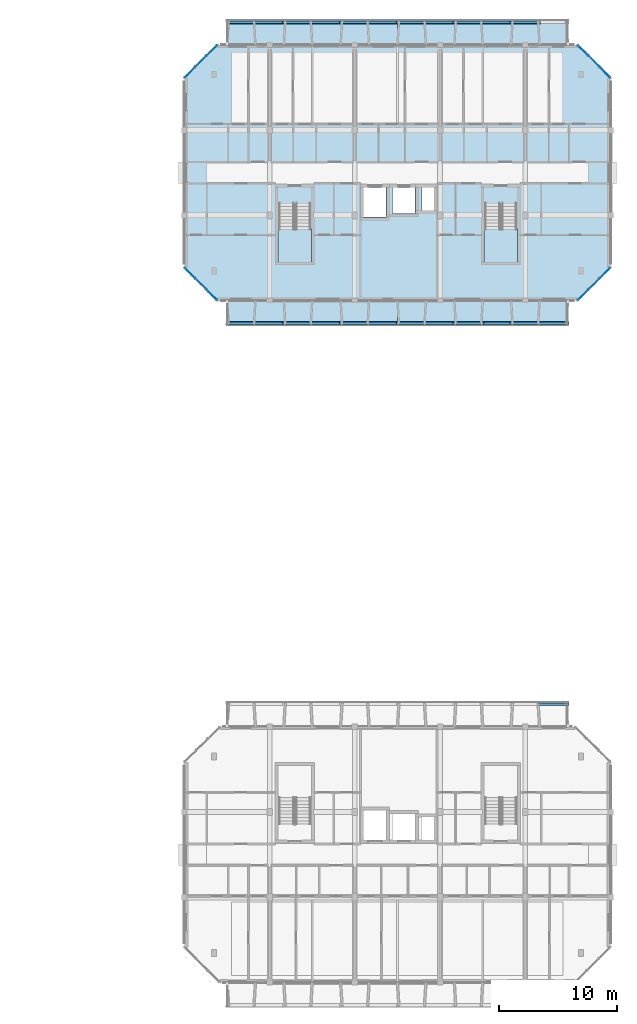
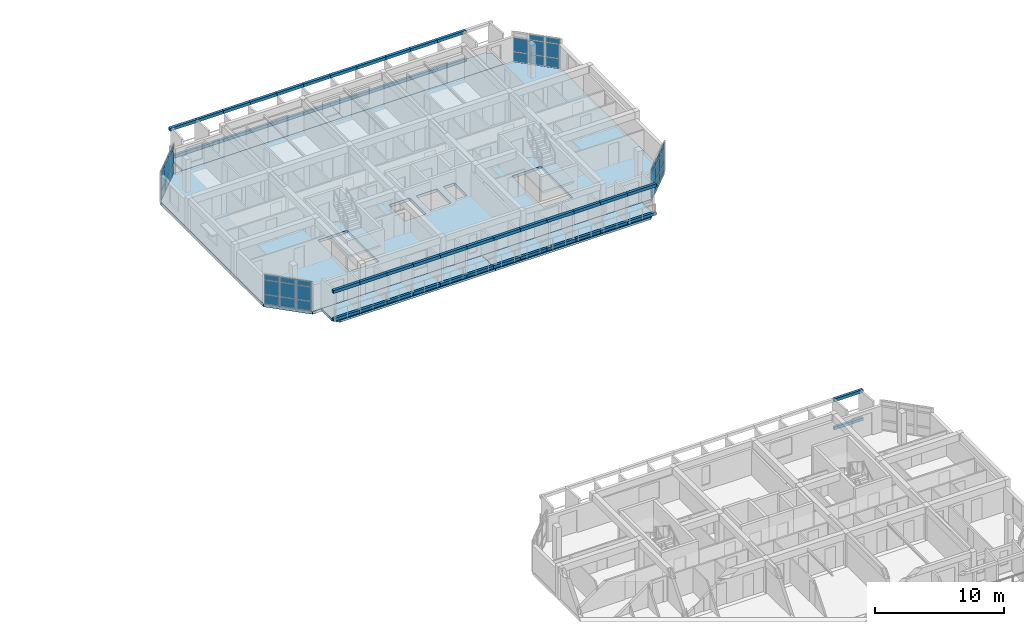
# One storey, part 17 of 43: 83 plates, 7 slabs, 6 elements without a shape of their own.
"""IFC4 building model written with IfcOpenShell, lengths in metres."""

from ifc_helpers import new_model, si_unit, direction, frame, origin, origin_2d, place, context, subcontext, project, spatial, polyline, rectangle, outline, extrude, material, layer, layer_set, type_object, element, aggregate, save


model = new_model("IFC4")

# Units and contexts
model_context = context("Model", 3, precision=1e-05, world=origin(), true_north=direction((0.0, 1.0)))
body_context = subcontext(model_context, "Body", "Model", "MODEL_VIEW")
ifc_project = project(units=[si_unit("LENGTHUNIT", "METRE"), si_unit("AREAUNIT", "SQUARE_METRE"), si_unit("VOLUMEUNIT", "CUBIC_METRE"), si_unit("PLANEANGLEUNIT", "RADIAN"), si_unit("MASSUNIT", "GRAM", prefix="KILO")], contexts=[model_context])

# Site, building, storey
site_placement = place(None, origin())
site = spatial("IfcSite", under=ifc_project, at=site_placement, CompositionType="ELEMENT")
building_placement = place(site_placement, origin())
building = spatial("IfcBuilding", under=site, at=building_placement, Name="Ochrevale Crest", CompositionType="ELEMENT")
storey_placement = place(building_placement, frame((0.0, 0.0, 30.75)))
storey = spatial("IfcBuildingStorey", under=building, at=storey_placement, Name="L09", CompositionType="ELEMENT", Elevation=30.75)

# Curtain wall, plates
ifc_material_1 = material(Name="Anodised aluminium 6063-T5", Category="aluminium")
ifc_layer_1 = layer(ifc_material_1, 0.14990234375)
ifc_layer_set_1 = layer_set([ifc_layer_1], Name="Anodised aluminium 6063-T5")
curtain_wall_type_1 = type_object("IfcCurtainWallType", Name="CW-WG-240x285", PredefinedType="NOTDEFINED", material=ifc_layer_set_1)
curtain_wall_1_placement = place(storey_placement, origin())
curtain_wall_1 = element("IfcCurtainWall", 1, at=curtain_wall_1_placement, inside=storey, type_object=curtain_wall_type_1, Name="Block D L09 chamfered corner wintergarden curtain wall 6", PredefinedType="NOTDEFINED")
ifc_material_2 = material(Name="Double-glazed low-E insulated glass unit", Category="glass")
ifc_layer_2 = layer(ifc_material_2, 0.028076171875)
ifc_layer_set_2 = layer_set([ifc_layer_2], Name="Double-glazed low-E insulated glass unit")
plate_type_1 = type_object("IfcPlateType", Name="CW-PNL-IGU28", PredefinedType="CURTAIN_PANEL", material=ifc_layer_set_2)
plate_1_placement = place(storey_placement, frame((131.920166015625, 93.1201171875, 0.06005859375), z_axis=(0.0, 0.0, 1.0), x_axis=(-0.707106781187, -0.707106781187, 0.0)))
plate_1 = element("IfcPlate", 2, at=plate_1_placement, type_object=plate_type_1, Name="CW15 panel 1.1", PredefinedType="CURTAIN_PANEL", context=body_context, shape_type="SweptSolid", body=[
    extrude(rectangle(XDim=1.20751953125, YDim=0.028076171875, at=origin_2d()), origin(), (0.0, 0.0, 1.0), 0.860107421875),
])
plate_2_placement = place(storey_placement, frame((131.920166015625, 93.1201171875, 0.97998046875), z_axis=(0.0, 0.0, 1.0), x_axis=(-0.707106781187, -0.707106781187, 0.0)))
plate_2 = element("IfcPlate", 3, at=plate_2_placement, type_object=plate_type_1, Name="CW15 panel 1.2", PredefinedType="CURTAIN_PANEL", context=body_context, shape_type="SweptSolid", body=[
    extrude(rectangle(XDim=1.20751953125, YDim=0.028076171875, at=origin_2d()), origin(), (0.0, 0.0, 1.0), 1.31494140625),
])
plate_3_placement = place(storey_placement, frame((131.920166015625, 93.1201171875, 2.35498046875), z_axis=(0.0, 0.0, 1.0), x_axis=(-0.707106781187, -0.707106781187, 0.0)))
plate_3 = element("IfcPlate", 4, at=plate_3_placement, type_object=plate_type_1, Name="CW15 panel 1.3", PredefinedType="CURTAIN_PANEL", context=body_context, shape_type="SweptSolid", body=[
    extrude(rectangle(XDim=1.20751953125, YDim=0.028076171875, at=origin_2d()), origin(), (0.0, 0.0, 1.0), 0.4599609375),
])
plate_4_placement = place(storey_placement, frame((131.0, 92.199951171875, 0.06005859375), z_axis=(0.0, 0.0, 1.0), x_axis=(-0.707106781187, -0.707106781187, 0.0)))
plate_4 = element("IfcPlate", 5, at=plate_4_placement, type_object=plate_type_1, Name="CW15 panel 2.1", PredefinedType="CURTAIN_PANEL", context=body_context, shape_type="SweptSolid", body=[
    extrude(rectangle(XDim=1.244873046875, YDim=0.028076171875, at=origin_2d()), origin(), (0.0, 0.0, 1.0), 0.860107421875),
])
plate_5_placement = place(storey_placement, frame((131.0, 92.199951171875, 0.97998046875), z_axis=(0.0, 0.0, 1.0), x_axis=(-0.707106781187, -0.707106781187, 0.0)))
plate_5 = element("IfcPlate", 6, at=plate_5_placement, type_object=plate_type_1, Name="CW15 panel 2.2", PredefinedType="CURTAIN_PANEL", context=body_context, shape_type="SweptSolid", body=[
    extrude(rectangle(XDim=1.244873046875, YDim=0.028076171875, at=origin_2d()), origin(), (0.0, 0.0, 1.0), 1.31494140625),
])
plate_6_placement = place(storey_placement, frame((131.0, 92.199951171875, 2.35498046875), z_axis=(0.0, 0.0, 1.0), x_axis=(-0.707106781187, -0.707106781187, 0.0)))
plate_6 = element("IfcPlate", 7, at=plate_6_placement, type_object=plate_type_1, Name="CW15 panel 2.3", PredefinedType="CURTAIN_PANEL", context=body_context, shape_type="SweptSolid", body=[
    extrude(rectangle(XDim=1.244873046875, YDim=0.028076171875, at=origin_2d()), origin(), (0.0, 0.0, 1.0), 0.4599609375),
])
plate_7_placement = place(storey_placement, frame((130.079833984375, 91.280029296875, 0.06005859375), z_axis=(0.0, 0.0, 1.0), x_axis=(-0.707106781187, -0.707106781187, 0.0)))
plate_7 = element("IfcPlate", 8, at=plate_7_placement, type_object=plate_type_1, Name="CW15 panel 3.1", PredefinedType="CURTAIN_PANEL", context=body_context, shape_type="SweptSolid", body=[
    extrude(rectangle(XDim=1.20751953125, YDim=0.028076171875, at=origin_2d()), origin(), (0.0, 0.0, 1.0), 0.860107421875),
])
plate_8_placement = place(storey_placement, frame((130.079833984375, 91.280029296875, 0.97998046875), z_axis=(0.0, 0.0, 1.0), x_axis=(-0.707106781187, -0.707106781187, 0.0)))
plate_8 = element("IfcPlate", 9, at=plate_8_placement, type_object=plate_type_1, Name="CW15 panel 3.2", PredefinedType="CURTAIN_PANEL", context=body_context, shape_type="SweptSolid", body=[
    extrude(rectangle(XDim=1.20751953125, YDim=0.028076171875, at=origin_2d()), origin(), (0.0, 0.0, 1.0), 1.31494140625),
])
plate_9_placement = place(storey_placement, frame((130.079833984375, 91.280029296875, 2.35498046875), z_axis=(0.0, 0.0, 1.0), x_axis=(-0.707106781187, -0.707106781187, 0.0)))
plate_9 = element("IfcPlate", 10, at=plate_9_placement, type_object=plate_type_1, Name="CW15 panel 3.3", PredefinedType="CURTAIN_PANEL", context=body_context, shape_type="SweptSolid", body=[
    extrude(rectangle(XDim=1.20751953125, YDim=0.028076171875, at=origin_2d()), origin(), (0.0, 0.0, 1.0), 0.4599609375),
])
aggregate(curtain_wall_1, [plate_1, plate_2, plate_3, plate_4, plate_5, plate_6, plate_7, plate_8, plate_9])

ifc_layer_3 = layer(ifc_material_1, 0.14990234375)
ifc_layer_set_3 = layer_set([ifc_layer_3], Name="Anodised aluminium 6063-T5")
curtain_wall_type_2 = type_object("IfcCurtainWallType", Name="CW-WG-320x285", PredefinedType="NOTDEFINED", material=ifc_layer_set_3)
curtain_wall_2_placement = place(storey_placement, origin())
curtain_wall_2 = element("IfcCurtainWall", 11, at=curtain_wall_2_placement, inside=storey, type_object=curtain_wall_type_2, Name="Block D L09 chamfered corner wintergarden curtain wall 8", PredefinedType="NOTDEFINED")
plate_10_placement = place(storey_placement, frame((130.079833984375, 74.320068359375, 0.06005859375), z_axis=(0.0, 0.0, 1.0), x_axis=(0.707106781187, -0.707106781187, 0.0)))
plate_10 = element("IfcPlate", 12, at=plate_10_placement, type_object=plate_type_1, Name="CW17 panel 1.1", PredefinedType="CURTAIN_PANEL", context=body_context, shape_type="SweptSolid", body=[
    extrude(rectangle(XDim=1.20751953125, YDim=0.028076171875, at=origin_2d()), origin(), (0.0, 0.0, 1.0), 0.860107421875),
])
plate_11_placement = place(storey_placement, frame((130.079833984375, 74.320068359375, 0.97998046875), z_axis=(0.0, 0.0, 1.0), x_axis=(0.707106781187, -0.707106781187, 0.0)))
plate_11 = element("IfcPlate", 13, at=plate_11_placement, type_object=plate_type_1, Name="CW17 panel 1.2", PredefinedType="CURTAIN_PANEL", context=body_context, shape_type="SweptSolid", body=[
    extrude(rectangle(XDim=1.20751953125, YDim=0.028076171875, at=origin_2d()), origin(), (0.0, 0.0, 1.0), 1.31494140625),
])
plate_12_placement = place(storey_placement, frame((130.079833984375, 74.320068359375, 2.35498046875), z_axis=(0.0, 0.0, 1.0), x_axis=(0.707106781187, -0.707106781187, 0.0)))
plate_12 = element("IfcPlate", 14, at=plate_12_placement, type_object=plate_type_1, Name="CW17 panel 1.3", PredefinedType="CURTAIN_PANEL", context=body_context, shape_type="SweptSolid", body=[
    extrude(rectangle(XDim=1.20751953125, YDim=0.028076171875, at=origin_2d()), origin(), (0.0, 0.0, 1.0), 0.4599609375),
])
plate_13_placement = place(storey_placement, frame((131.0, 73.39990234375, 0.06005859375), z_axis=(0.0, 0.0, 1.0), x_axis=(0.707106781187, -0.707106781187, 0.0)))
plate_13 = element("IfcPlate", 15, at=plate_13_placement, type_object=plate_type_1, Name="CW17 panel 2.1", PredefinedType="CURTAIN_PANEL", context=body_context, shape_type="SweptSolid", body=[
    extrude(rectangle(XDim=1.244873046875, YDim=0.028076171875, at=origin_2d()), origin(), (0.0, 0.0, 1.0), 0.860107421875),
])
plate_14_placement = place(storey_placement, frame((131.0, 73.39990234375, 0.97998046875), z_axis=(0.0, 0.0, 1.0), x_axis=(0.707106781187, -0.707106781187, 0.0)))
plate_14 = element("IfcPlate", 16, at=plate_14_placement, type_object=plate_type_1, Name="CW17 panel 2.2", PredefinedType="CURTAIN_PANEL", context=body_context, shape_type="SweptSolid", body=[
    extrude(rectangle(XDim=1.244873046875, YDim=0.028076171875, at=origin_2d()), origin(), (0.0, 0.0, 1.0), 1.31494140625),
])
plate_15_placement = place(storey_placement, frame((131.0, 73.39990234375, 2.35498046875), z_axis=(0.0, 0.0, 1.0), x_axis=(0.707106781187, -0.707106781187, 0.0)))
plate_15 = element("IfcPlate", 17, at=plate_15_placement, type_object=plate_type_1, Name="CW17 panel 2.3", PredefinedType="CURTAIN_PANEL", context=body_context, shape_type="SweptSolid", body=[
    extrude(rectangle(XDim=1.244873046875, YDim=0.028076171875, at=origin_2d()), origin(), (0.0, 0.0, 1.0), 0.4599609375),
])
plate_16_placement = place(storey_placement, frame((131.920166015625, 72.47998046875, 0.06005859375), z_axis=(0.0, 0.0, 1.0), x_axis=(0.707106781187, -0.707106781187, 0.0)))
plate_16 = element("IfcPlate", 18, at=plate_16_placement, type_object=plate_type_1, Name="CW17 panel 3.1", PredefinedType="CURTAIN_PANEL", context=body_context, shape_type="SweptSolid", body=[
    extrude(rectangle(XDim=1.20751953125, YDim=0.028076171875, at=origin_2d()), origin(), (0.0, 0.0, 1.0), 0.860107421875),
])
plate_17_placement = place(storey_placement, frame((131.920166015625, 72.47998046875, 0.97998046875), z_axis=(0.0, 0.0, 1.0), x_axis=(0.707106781187, -0.707106781187, 0.0)))
plate_17 = element("IfcPlate", 19, at=plate_17_placement, type_object=plate_type_1, Name="CW17 panel 3.2", PredefinedType="CURTAIN_PANEL", context=body_context, shape_type="SweptSolid", body=[
    extrude(rectangle(XDim=1.20751953125, YDim=0.028076171875, at=origin_2d()), origin(), (0.0, 0.0, 1.0), 1.31494140625),
])
plate_18_placement = place(storey_placement, frame((131.920166015625, 72.47998046875, 2.35498046875), z_axis=(0.0, 0.0, 1.0), x_axis=(0.707106781187, -0.707106781187, 0.0)))
plate_18 = element("IfcPlate", 20, at=plate_18_placement, type_object=plate_type_1, Name="CW17 panel 3.3", PredefinedType="CURTAIN_PANEL", context=body_context, shape_type="SweptSolid", body=[
    extrude(rectangle(XDim=1.20751953125, YDim=0.028076171875, at=origin_2d()), origin(), (0.0, 0.0, 1.0), 0.4599609375),
])
aggregate(curtain_wall_2, [plate_10, plate_11, plate_12, plate_13, plate_14, plate_15, plate_16, plate_17, plate_18])

ifc_layer_4 = layer(ifc_material_1, 0.14990234375)
ifc_layer_set_4 = layer_set([ifc_layer_4], Name="Anodised aluminium 6063-T5")
curtain_wall_type_3 = type_object("IfcCurtainWallType", Name="CW-WG-280x285", PredefinedType="NOTDEFINED", material=ifc_layer_set_4)
curtain_wall_3_placement = place(storey_placement, origin())
curtain_wall_3 = element("IfcCurtainWall", 21, at=curtain_wall_3_placement, inside=storey, type_object=curtain_wall_type_3, Name="Block D L09 chamfered corner wintergarden curtain wall 2", PredefinedType="NOTDEFINED")
ifc_material_3 = material(Name="Acoustic laminated low-E insulated glass unit", Category="glass")
ifc_layer_5 = layer(ifc_material_3, 0.0380859375)
ifc_layer_set_5 = layer_set([ifc_layer_5], Name="Acoustic laminated low-E insulated glass unit")
plate_type_2 = type_object("IfcPlateType", Name="CW-PNL-IGU38", PredefinedType="CURTAIN_PANEL", material=ifc_layer_set_5)
plate_19_placement = place(storey_placement, frame((163.280029296875, 72.47998046875, 0.06005859375), z_axis=(0.0, 0.0, 1.0), x_axis=(0.707106781187, 0.707106781187, 0.0)))
plate_19 = element("IfcPlate", 22, at=plate_19_placement, type_object=plate_type_2, Name="CW16 panel 1.1", PredefinedType="CURTAIN_PANEL", context=body_context, shape_type="SweptSolid", body=[
    extrude(rectangle(XDim=1.20751953125, YDim=0.0380859375, at=origin_2d()), origin(), (0.0, 0.0, 1.0), 0.860107421875),
])
plate_20_placement = place(storey_placement, frame((163.280029296875, 72.47998046875, 0.97998046875), z_axis=(0.0, 0.0, 1.0), x_axis=(0.707106781187, 0.707106781187, 0.0)))
plate_20 = element("IfcPlate", 23, at=plate_20_placement, type_object=plate_type_2, Name="CW16 panel 1.2", PredefinedType="CURTAIN_PANEL", context=body_context, shape_type="SweptSolid", body=[
    extrude(rectangle(XDim=1.20751953125, YDim=0.0380859375, at=origin_2d()), origin(), (0.0, 0.0, 1.0), 1.31494140625),
])
plate_21_placement = place(storey_placement, frame((163.280029296875, 72.47998046875, 2.35498046875), z_axis=(0.0, 0.0, 1.0), x_axis=(0.707106781187, 0.707106781187, 0.0)))
plate_21 = element("IfcPlate", 24, at=plate_21_placement, type_object=plate_type_2, Name="CW16 panel 1.3", PredefinedType="CURTAIN_PANEL", context=body_context, shape_type="SweptSolid", body=[
    extrude(rectangle(XDim=1.20751953125, YDim=0.0380859375, at=origin_2d()), origin(), (0.0, 0.0, 1.0), 0.4599609375),
])
plate_22_placement = place(storey_placement, frame((164.199951171875, 73.39990234375, 0.06005859375), z_axis=(0.0, 0.0, 1.0), x_axis=(0.707106781187, 0.707106781187, 0.0)))
plate_22 = element("IfcPlate", 25, at=plate_22_placement, type_object=plate_type_2, Name="CW16 panel 2.1", PredefinedType="CURTAIN_PANEL", context=body_context, shape_type="SweptSolid", body=[
    extrude(rectangle(XDim=1.244873046875, YDim=0.0380859375, at=origin_2d()), origin(), (0.0, 0.0, 1.0), 0.860107421875),
])
plate_23_placement = place(storey_placement, frame((164.199951171875, 73.39990234375, 0.97998046875), z_axis=(0.0, 0.0, 1.0), x_axis=(0.707106781187, 0.707106781187, 0.0)))
plate_23 = element("IfcPlate", 26, at=plate_23_placement, type_object=plate_type_2, Name="CW16 panel 2.2", PredefinedType="CURTAIN_PANEL", context=body_context, shape_type="SweptSolid", body=[
    extrude(rectangle(XDim=1.244873046875, YDim=0.0380859375, at=origin_2d()), origin(), (0.0, 0.0, 1.0), 1.31494140625),
])
plate_24_placement = place(storey_placement, frame((164.199951171875, 73.39990234375, 2.35498046875), z_axis=(0.0, 0.0, 1.0), x_axis=(0.707106781187, 0.707106781187, 0.0)))
plate_24 = element("IfcPlate", 27, at=plate_24_placement, type_object=plate_type_2, Name="CW16 panel 2.3", PredefinedType="CURTAIN_PANEL", context=body_context, shape_type="SweptSolid", body=[
    extrude(rectangle(XDim=1.244873046875, YDim=0.0380859375, at=origin_2d()), origin(), (0.0, 0.0, 1.0), 0.4599609375),
])
plate_25_placement = place(storey_placement, frame((165.1201171875, 74.320068359375, 0.06005859375), z_axis=(0.0, 0.0, 1.0), x_axis=(0.707106781187, 0.707106781187, 0.0)))
plate_25 = element("IfcPlate", 28, at=plate_25_placement, type_object=plate_type_2, Name="CW16 panel 3.1", PredefinedType="CURTAIN_PANEL", context=body_context, shape_type="SweptSolid", body=[
    extrude(rectangle(XDim=1.20751953125, YDim=0.0380859375, at=origin_2d()), origin(), (0.0, 0.0, 1.0), 0.860107421875),
])
plate_26_placement = place(storey_placement, frame((165.1201171875, 74.320068359375, 0.97998046875), z_axis=(0.0, 0.0, 1.0), x_axis=(0.707106781187, 0.707106781187, 0.0)))
plate_26 = element("IfcPlate", 29, at=plate_26_placement, type_object=plate_type_2, Name="CW16 panel 3.2", PredefinedType="CURTAIN_PANEL", context=body_context, shape_type="SweptSolid", body=[
    extrude(rectangle(XDim=1.20751953125, YDim=0.0380859375, at=origin_2d()), origin(), (0.0, 0.0, 1.0), 1.31494140625),
])
plate_27_placement = place(storey_placement, frame((165.1201171875, 74.320068359375, 2.35498046875), z_axis=(0.0, 0.0, 1.0), x_axis=(0.707106781187, 0.707106781187, 0.0)))
plate_27 = element("IfcPlate", 30, at=plate_27_placement, type_object=plate_type_2, Name="CW16 panel 3.3", PredefinedType="CURTAIN_PANEL", context=body_context, shape_type="SweptSolid", body=[
    extrude(rectangle(XDim=1.20751953125, YDim=0.0380859375, at=origin_2d()), origin(), (0.0, 0.0, 1.0), 0.4599609375),
])
aggregate(curtain_wall_3, [plate_19, plate_20, plate_21, plate_22, plate_23, plate_24, plate_25, plate_26, plate_27])

ifc_layer_6 = layer(ifc_material_1, 0.14990234375)
ifc_layer_set_6 = layer_set([ifc_layer_6], Name="Anodised aluminium 6063-T5")
curtain_wall_type_4 = type_object("IfcCurtainWallType", Name="CW-WG-360x285", PredefinedType="NOTDEFINED", material=ifc_layer_set_6)
curtain_wall_4_placement = place(storey_placement, origin())
curtain_wall_4 = element("IfcCurtainWall", 31, at=curtain_wall_4_placement, inside=storey, type_object=curtain_wall_type_4, Name="Block D L09 chamfered corner wintergarden curtain wall 4", PredefinedType="NOTDEFINED")
plate_28_placement = place(storey_placement, frame((165.1201171875, 91.280029296875, 0.06005859375), z_axis=(0.0, 0.0, 1.0), x_axis=(-0.707106781187, 0.707106781187, 0.0)))
plate_28 = element("IfcPlate", 32, at=plate_28_placement, type_object=plate_type_2, Name="CW18 panel 1.1", PredefinedType="CURTAIN_PANEL", context=body_context, shape_type="SweptSolid", body=[
    extrude(rectangle(XDim=1.20751953125, YDim=0.0380859375, at=origin_2d()), origin(), (0.0, 0.0, 1.0), 0.860107421875),
])
plate_29_placement = place(storey_placement, frame((165.1201171875, 91.280029296875, 0.97998046875), z_axis=(0.0, 0.0, 1.0), x_axis=(-0.707106781187, 0.707106781187, 0.0)))
plate_29 = element("IfcPlate", 33, at=plate_29_placement, type_object=plate_type_2, Name="CW18 panel 1.2", PredefinedType="CURTAIN_PANEL", context=body_context, shape_type="SweptSolid", body=[
    extrude(rectangle(XDim=1.20751953125, YDim=0.0380859375, at=origin_2d()), origin(), (0.0, 0.0, 1.0), 1.31494140625),
])
plate_30_placement = place(storey_placement, frame((165.1201171875, 91.280029296875, 2.35498046875), z_axis=(0.0, 0.0, 1.0), x_axis=(-0.707106781187, 0.707106781187, 0.0)))
plate_30 = element("IfcPlate", 34, at=plate_30_placement, type_object=plate_type_2, Name="CW18 panel 1.3", PredefinedType="CURTAIN_PANEL", context=body_context, shape_type="SweptSolid", body=[
    extrude(rectangle(XDim=1.20751953125, YDim=0.0380859375, at=origin_2d()), origin(), (0.0, 0.0, 1.0), 0.4599609375),
])
plate_31_placement = place(storey_placement, frame((164.199951171875, 92.199951171875, 0.06005859375), z_axis=(0.0, 0.0, 1.0), x_axis=(-0.707106781187, 0.707106781187, 0.0)))
plate_31 = element("IfcPlate", 35, at=plate_31_placement, type_object=plate_type_2, Name="CW18 panel 2.1", PredefinedType="CURTAIN_PANEL", context=body_context, shape_type="SweptSolid", body=[
    extrude(rectangle(XDim=1.244873046875, YDim=0.0380859375, at=origin_2d()), origin(), (0.0, 0.0, 1.0), 0.860107421875),
])
plate_32_placement = place(storey_placement, frame((164.199951171875, 92.199951171875, 0.97998046875), z_axis=(0.0, 0.0, 1.0), x_axis=(-0.707106781187, 0.707106781187, 0.0)))
plate_32 = element("IfcPlate", 36, at=plate_32_placement, type_object=plate_type_2, Name="CW18 panel 2.2", PredefinedType="CURTAIN_PANEL", context=body_context, shape_type="SweptSolid", body=[
    extrude(rectangle(XDim=1.244873046875, YDim=0.0380859375, at=origin_2d()), origin(), (0.0, 0.0, 1.0), 1.31494140625),
])
plate_33_placement = place(storey_placement, frame((164.199951171875, 92.199951171875, 2.35498046875), z_axis=(0.0, 0.0, 1.0), x_axis=(-0.707106781187, 0.707106781187, 0.0)))
plate_33 = element("IfcPlate", 37, at=plate_33_placement, type_object=plate_type_2, Name="CW18 panel 2.3", PredefinedType="CURTAIN_PANEL", context=body_context, shape_type="SweptSolid", body=[
    extrude(rectangle(XDim=1.244873046875, YDim=0.0380859375, at=origin_2d()), origin(), (0.0, 0.0, 1.0), 0.4599609375),
])
plate_34_placement = place(storey_placement, frame((163.280029296875, 93.1201171875, 0.06005859375), z_axis=(0.0, 0.0, 1.0), x_axis=(-0.707106781187, 0.707106781187, 0.0)))
plate_34 = element("IfcPlate", 38, at=plate_34_placement, type_object=plate_type_2, Name="CW18 panel 3.1", PredefinedType="CURTAIN_PANEL", context=body_context, shape_type="SweptSolid", body=[
    extrude(rectangle(XDim=1.20751953125, YDim=0.0380859375, at=origin_2d()), origin(), (0.0, 0.0, 1.0), 0.860107421875),
])
plate_35_placement = place(storey_placement, frame((163.280029296875, 93.1201171875, 0.97998046875), z_axis=(0.0, 0.0, 1.0), x_axis=(-0.707106781187, 0.707106781187, 0.0)))
plate_35 = element("IfcPlate", 39, at=plate_35_placement, type_object=plate_type_2, Name="CW18 panel 3.2", PredefinedType="CURTAIN_PANEL", context=body_context, shape_type="SweptSolid", body=[
    extrude(rectangle(XDim=1.20751953125, YDim=0.0380859375, at=origin_2d()), origin(), (0.0, 0.0, 1.0), 1.31494140625),
])
aggregate(curtain_wall_4, [plate_28, plate_29, plate_30, plate_31, plate_32, plate_33, plate_34, plate_35])

# Plates
ifc_material_4 = material(Name="Precast concrete C40/50", Category="concrete")
ifc_layer_7 = layer(ifc_material_4, 0.06005859375)
ifc_layer_set_7 = layer_set([ifc_layer_7], Name="Precast concrete C40/50")
plate_type_3 = type_object("IfcPlateType", Name="PLT-HC-HEAD-60", PredefinedType="USERDEFINED", material=ifc_layer_set_7)
for number, where, z_axis, x_axis, name in (
    (40, (160.800048828125, 37.89990234375, 2.669921875), (0.0, 0.0, 1.0), (1.0, 0.0, 0.0), "Block C L09 N honeycomb arched lintel fascia 12"),
    (41, (134.39990234375, 70.10009765625, 2.669921875), (0.0, 0.0, 1.0), (1.0, 0.0, 0.0), "Block D L09 S honeycomb arched lintel fascia 1"),
    (42, (136.800048828125, 70.10009765625, 2.669921875), (0.0, 0.0, 1.0), (1.0, 0.0, 0.0), "Block D L09 S honeycomb arched lintel fascia 2"),
    (43, (139.199951171875, 70.10009765625, 2.669921875), (0.0, 0.0, 1.0), (1.0, 0.0, 0.0), "Block D L09 S honeycomb arched lintel fascia 3"),
    (44, (141.60009765625, 70.10009765625, 2.669921875), (0.0, 0.0, 1.0), (1.0, 0.0, 0.0), "Block D L09 S honeycomb arched lintel fascia 4"),
    (45, (144.0, 70.10009765625, 2.669921875), (0.0, 0.0, 1.0), (1.0, 0.0, 0.0), "Block D L09 S honeycomb arched lintel fascia 5"),
    (46, (146.39990234375, 70.10009765625, 2.669921875), (0.0, 0.0, 1.0), (1.0, 0.0, 0.0), "Block D L09 S honeycomb arched lintel fascia 6"),
    (47, (148.800048828125, 70.10009765625, 2.669921875), (0.0, 0.0, 1.0), (1.0, 0.0, 0.0), "Block D L09 S honeycomb arched lintel fascia 7"),
    (48, (151.199951171875, 70.10009765625, 2.669921875), (0.0, 0.0, 1.0), (1.0, 0.0, 0.0), "Block D L09 S honeycomb arched lintel fascia 8"),
    (49, (153.60009765625, 70.10009765625, 2.669921875), (0.0, 0.0, 1.0), (1.0, 0.0, 0.0), "Block D L09 S honeycomb arched lintel fascia 9"),
    (50, (156.0, 70.10009765625, 2.669921875), (0.0, 0.0, 1.0), (1.0, 0.0, 0.0), "Block D L09 S honeycomb arched lintel fascia 10"),
    (51, (158.39990234375, 70.10009765625, 2.669921875), (0.0, 0.0, 1.0), (1.0, 0.0, 0.0), "Block D L09 S honeycomb arched lintel fascia 11"),
    (52, (160.800048828125, 70.10009765625, 2.669921875), (0.0, 0.0, 1.0), (1.0, 0.0, 0.0), "Block D L09 S honeycomb arched lintel fascia 12"),
    (53, (134.39990234375, 95.5, 2.669921875), (0.0, 0.0, 1.0), (1.0, 0.0, 0.0), "Block D L09 N honeycomb arched lintel fascia 1"),
    (54, (136.800048828125, 95.5, 2.669921875), (0.0, 0.0, 1.0), (1.0, 0.0, 0.0), "Block D L09 N honeycomb arched lintel fascia 2"),
    (55, (139.199951171875, 95.5, 2.669921875), (0.0, 0.0, 1.0), (1.0, 0.0, 0.0), "Block D L09 N honeycomb arched lintel fascia 3"),
    (56, (141.60009765625, 95.5, 2.669921875), (0.0, 0.0, 1.0), (1.0, 0.0, 0.0), "Block D L09 N honeycomb arched lintel fascia 4"),
    (57, (144.0, 95.5, 2.669921875), (0.0, 0.0, 1.0), (1.0, 0.0, 0.0), "Block D L09 N honeycomb arched lintel fascia 5"),
    (58, (146.39990234375, 95.5, 2.669921875), (0.0, 0.0, 1.0), (1.0, 0.0, 0.0), "Block D L09 N honeycomb arched lintel fascia 6"),
    (59, (148.800048828125, 95.5, 2.669921875), (0.0, 0.0, 1.0), (1.0, 0.0, 0.0), "Block D L09 N honeycomb arched lintel fascia 7"),
    (60, (151.199951171875, 95.5, 2.669921875), (0.0, 0.0, 1.0), (1.0, 0.0, 0.0), "Block D L09 N honeycomb arched lintel fascia 8"),
    (61, (153.60009765625, 95.5, 2.669921875), (0.0, 0.0, 1.0), (1.0, 0.0, 0.0), "Block D L09 N honeycomb arched lintel fascia 9"),
    (62, (156.0, 95.5, 2.669921875), (0.0, 0.0, 1.0), (1.0, 0.0, 0.0), "Block D L09 N honeycomb arched lintel fascia 10"),
    (63, (158.39990234375, 95.5, 2.669921875), (0.0, 0.0, 1.0), (1.0, 0.0, 0.0), "Block D L09 N honeycomb arched lintel fascia 11"),
):
    element("IfcPlate", number, at=place(storey_placement, frame(where, z_axis=z_axis, x_axis=x_axis)), inside=storey, type_object=plate_type_3, Name=name, ObjectType="FACADE FASCIA PLATE", PredefinedType="USERDEFINED", context=body_context, shape_type="SweptSolid", body=[
        extrude(rectangle(XDim=2.60009765625, YDim=0.239990234375, at=origin_2d()), origin(), (0.0, 0.0, 1.0), 0.280029296875),
    ])
ifc_layer_8 = layer(ifc_material_4, 0.044921875)
ifc_layer_set_8 = layer_set([ifc_layer_8], Name="Precast concrete C40/50")
plate_type_4 = type_object("IfcPlateType", Name="PLT-HC-SILL-45", PredefinedType="USERDEFINED", material=ifc_layer_set_8)
for number, where, z_axis, x_axis, name in (
    (64, (160.800048828125, 37.89990234375, 0.0), (0.0, 0.0, 1.0), (1.0, 0.0, 0.0), "Block C L09 N honeycomb sill coping plate 12"),
    (65, (134.39990234375, 70.10009765625, 0.0), (0.0, 0.0, 1.0), (1.0, 0.0, 0.0), "Block D L09 S honeycomb sill coping plate 1"),
    (66, (136.800048828125, 70.10009765625, 0.0), (0.0, 0.0, 1.0), (1.0, 0.0, 0.0), "Block D L09 S honeycomb sill coping plate 2"),
    (67, (139.199951171875, 70.10009765625, 0.0), (0.0, 0.0, 1.0), (1.0, 0.0, 0.0), "Block D L09 S honeycomb sill coping plate 3"),
    (68, (141.60009765625, 70.10009765625, 0.0), (0.0, 0.0, 1.0), (1.0, 0.0, 0.0), "Block D L09 S honeycomb sill coping plate 4"),
    (69, (144.0, 70.10009765625, 0.0), (0.0, 0.0, 1.0), (1.0, 0.0, 0.0), "Block D L09 S honeycomb sill coping plate 5"),
    (70, (146.39990234375, 70.10009765625, 0.0), (0.0, 0.0, 1.0), (1.0, 0.0, 0.0), "Block D L09 S honeycomb sill coping plate 6"),
    (71, (148.800048828125, 70.10009765625, 0.0), (0.0, 0.0, 1.0), (1.0, 0.0, 0.0), "Block D L09 S honeycomb sill coping plate 7"),
    (72, (151.199951171875, 70.10009765625, 0.0), (0.0, 0.0, 1.0), (1.0, 0.0, 0.0), "Block D L09 S honeycomb sill coping plate 8"),
    (73, (153.60009765625, 70.10009765625, 0.0), (0.0, 0.0, 1.0), (1.0, 0.0, 0.0), "Block D L09 S honeycomb sill coping plate 9"),
    (74, (156.0, 70.10009765625, 0.0), (0.0, 0.0, 1.0), (1.0, 0.0, 0.0), "Block D L09 S honeycomb sill coping plate 10"),
    (75, (158.39990234375, 70.10009765625, 0.0), (0.0, 0.0, 1.0), (1.0, 0.0, 0.0), "Block D L09 S honeycomb sill coping plate 11"),
    (76, (160.800048828125, 70.10009765625, 0.0), (0.0, 0.0, 1.0), (1.0, 0.0, 0.0), "Block D L09 S honeycomb sill coping plate 12"),
    (77, (134.39990234375, 95.5, 0.0), (0.0, 0.0, 1.0), (1.0, 0.0, 0.0), "Block D L09 N honeycomb sill coping plate 1"),
    (78, (136.800048828125, 95.5, 0.0), (0.0, 0.0, 1.0), (1.0, 0.0, 0.0), "Block D L09 N honeycomb sill coping plate 2"),
    (79, (139.199951171875, 95.5, 0.0), (0.0, 0.0, 1.0), (1.0, 0.0, 0.0), "Block D L09 N honeycomb sill coping plate 3"),
    (80, (141.60009765625, 95.5, 0.0), (0.0, 0.0, 1.0), (1.0, 0.0, 0.0), "Block D L09 N honeycomb sill coping plate 4"),
    (81, (144.0, 95.5, 0.0), (0.0, 0.0, 1.0), (1.0, 0.0, 0.0), "Block D L09 N honeycomb sill coping plate 5"),
    (82, (146.39990234375, 95.5, 0.0), (0.0, 0.0, 1.0), (1.0, 0.0, 0.0), "Block D L09 N honeycomb sill coping plate 6"),
    (83, (148.800048828125, 95.5, 0.0), (0.0, 0.0, 1.0), (1.0, 0.0, 0.0), "Block D L09 N honeycomb sill coping plate 7"),
    (84, (151.199951171875, 95.5, 0.0), (0.0, 0.0, 1.0), (1.0, 0.0, 0.0), "Block D L09 N honeycomb sill coping plate 8"),
    (85, (153.60009765625, 95.5, 0.0), (0.0, 0.0, 1.0), (1.0, 0.0, 0.0), "Block D L09 N honeycomb sill coping plate 9"),
    (86, (156.0, 95.5, 0.0), (0.0, 0.0, 1.0), (1.0, 0.0, 0.0), "Block D L09 N honeycomb sill coping plate 10"),
    (87, (158.39990234375, 95.5, 0.0), (0.0, 0.0, 1.0), (1.0, 0.0, 0.0), "Block D L09 N honeycomb sill coping plate 11"),
):
    element("IfcPlate", number, at=place(storey_placement, frame(where, z_axis=z_axis, x_axis=x_axis)), inside=storey, type_object=plate_type_4, Name=name, ObjectType="SILL COPING PLATE", PredefinedType="USERDEFINED", context=body_context, shape_type="SweptSolid", body=[
        extrude(rectangle(XDim=2.60009765625, YDim=0.219970703125, at=origin_2d()), origin(), (0.0, 0.0, 1.0), 0.260009765625),
    ])

# Slabs
ifc_layer_9 = layer(ifc_material_4, 0.199951171875)
ifc_layer_set_9 = layer_set([ifc_layer_9], Name="Precast concrete C40/50")
slab_type_1 = type_object("IfcSlabType", Name="SLB-BAL-200", PredefinedType="FLOOR", material=ifc_layer_set_9)
slab_1_placement = place(storey_placement, frame((0.0, 0.0, -0.199951171875)))
element("IfcSlab", 88, at=slab_1_placement, inside=storey, type_object=slab_type_1, Name="Block D L09 S1 precast loggia balcony slab", PredefinedType="FLOOR", context=body_context, shape_type="SweptSolid", body=[
    extrude(outline(polyline([(133.64990234375, 69.89990234375), (147.60009765625, 69.89990234375), (147.60009765625, 72.0), (133.199951171875, 72.0), (133.199951171875, 70.35009765625), (133.64990234375, 69.89990234375)])), origin(), (0.0, 0.0, 1.0), 0.199951171875),
])
slab_2_placement = place(storey_placement, frame((0.0, 0.0, -0.199951171875)))
element("IfcSlab", 89, at=slab_2_placement, inside=storey, type_object=slab_type_1, Name="Block D L09 S2 precast loggia balcony slab", PredefinedType="FLOOR", context=body_context, shape_type="SweptSolid", body=[
    extrude(outline(polyline([(147.60009765625, 69.89990234375), (161.550048828125, 69.89990234375), (162.0, 70.35009765625), (162.0, 72.0), (147.60009765625, 72.0), (147.60009765625, 69.89990234375)])), origin(), (0.0, 0.0, 1.0), 0.199951171875),
])
slab_3_placement = place(storey_placement, frame((0.0, 0.0, -0.199951171875)))
element("IfcSlab", 90, at=slab_3_placement, inside=storey, type_object=slab_type_1, Name="Block D L09 N1 precast loggia balcony slab", PredefinedType="FLOOR", context=body_context, shape_type="SweptSolid", body=[
    extrude(outline(polyline([(133.199951171875, 93.60009765625), (147.60009765625, 93.60009765625), (147.60009765625, 95.699951171875), (133.64990234375, 95.699951171875), (133.199951171875, 95.25), (133.199951171875, 93.60009765625)])), origin(), (0.0, 0.0, 1.0), 0.199951171875),
])
slab_4_placement = place(storey_placement, frame((0.0, 0.0, -0.199951171875)))
element("IfcSlab", 91, at=slab_4_placement, inside=storey, type_object=slab_type_1, Name="Block D L09 N2 precast loggia balcony slab", PredefinedType="FLOOR", context=body_context, shape_type="SweptSolid", body=[
    extrude(outline(polyline([(147.60009765625, 93.60009765625), (162.0, 93.60009765625), (162.0, 95.25), (161.550048828125, 95.699951171875), (147.60009765625, 95.699951171875), (147.60009765625, 93.60009765625)])), origin(), (0.0, 0.0, 1.0), 0.199951171875),
])
ifc_layer_10 = layer(ifc_material_4, 0.27490234375)
ifc_layer_set_10 = layer_set([ifc_layer_10], Name="Precast concrete C40/50")
slab_type_2 = type_object("IfcSlabType", Name="SLB-RES-275", PredefinedType="FLOOR", material=ifc_layer_set_10)
slab_5_placement = place(storey_placement, frame((0.0, 0.0, -0.27490234375)))
element("IfcSlab", 92, at=slab_5_placement, inside=storey, type_object=slab_type_2, Name="Block D L09 composite hollowcore floor slab", PredefinedType="FLOOR", context=body_context, shape_type="SweptSolid", body=[
    extrude(outline(polyline([(132.39990234375, 72.0), (162.800048828125, 72.0), (165.60009765625, 74.800048828125), (165.60009765625, 90.800048828125), (162.800048828125, 93.60009765625), (132.39990234375, 93.60009765625), (129.60009765625, 90.800048828125), (129.60009765625, 74.800048828125), (132.39990234375, 72.0)]), holes=[polyline([(137.60009765625, 80.175048828125), (137.60009765625, 75.27490234375), (140.25, 75.27490234375), (140.25, 80.175048828125), (137.60009765625, 80.175048828125)]), polyline([(155.0, 80.175048828125), (155.0, 75.27490234375), (157.64990234375, 75.27490234375), (157.64990234375, 80.175048828125), (155.0, 80.175048828125)]), polyline([(144.75, 79.050048828125), (146.64990234375, 79.050048828125), (146.64990234375, 81.550048828125), (144.75, 81.550048828125), (144.75, 79.050048828125)]), polyline([(147.199951171875, 79.35009765625), (149.10009765625, 79.35009765625), (149.10009765625, 81.550048828125), (147.199951171875, 81.550048828125), (147.199951171875, 79.35009765625)]), polyline([(149.669921875, 79.6201171875), (150.679931640625, 79.6201171875), (150.679931640625, 81.580078125), (149.669921875, 81.580078125), (149.669921875, 79.6201171875)])]), origin(), (0.0, 0.0, 1.0), 0.27490234375),
])

# Stair, slab
stair_type = type_object("IfcStairType", Name="ST-CORE-DOG", PredefinedType="HALF_TURN_STAIR", material=ifc_material_4)
stair_1_placement = place(storey_placement, origin())
stair_1 = element("IfcStair", 93, at=stair_1_placement, inside=storey, type_object=stair_type, Name="L09 Block D Fire Stair 1", PredefinedType="HALF_TURN_STAIR")
ifc_layer_11 = layer(ifc_material_4, 0.199951171875)
ifc_layer_set_11 = layer_set([ifc_layer_11], Name="Precast concrete C40/50")
slab_type_3 = type_object("IfcSlabType", Name="SLB-ST-LAND", PredefinedType="LANDING", material=ifc_layer_set_11)
slab_6_placement = place(storey_placement, frame((0.0, 0.0, 1.375)))
slab_6 = element("IfcSlab", 94, at=slab_6_placement, type_object=slab_type_3, Name="ST-D1 landing 1", PredefinedType="LANDING", context=body_context, shape_type="SweptSolid", body=[
    extrude(outline(polyline([(137.52001953125, 78.06494140625), (137.52001953125, 75.195068359375), (140.330078125, 75.195068359375), (140.330078125, 78.06494140625), (137.52001953125, 78.06494140625)])), origin(), (0.0, 0.0, 1.0), 0.199951171875),
])
aggregate(stair_1, [slab_6])

stair_2_placement = place(storey_placement, origin())
stair_2 = element("IfcStair", 95, at=stair_2_placement, inside=storey, type_object=stair_type, Name="L09 Block D Fire Stair 2", PredefinedType="HALF_TURN_STAIR")
slab_7_placement = place(storey_placement, frame((0.0, 0.0, 1.375)))
slab_7 = element("IfcSlab", 96, at=slab_7_placement, type_object=slab_type_3, Name="ST-D2 landing 1", PredefinedType="LANDING", context=body_context, shape_type="SweptSolid", body=[
    extrude(outline(polyline([(154.919921875, 78.06494140625), (154.919921875, 75.195068359375), (157.72998046875, 75.195068359375), (157.72998046875, 78.06494140625), (154.919921875, 78.06494140625)])), origin(), (0.0, 0.0, 1.0), 0.199951171875),
])
aggregate(stair_2, [slab_7])

save(model, "model.ifc")
